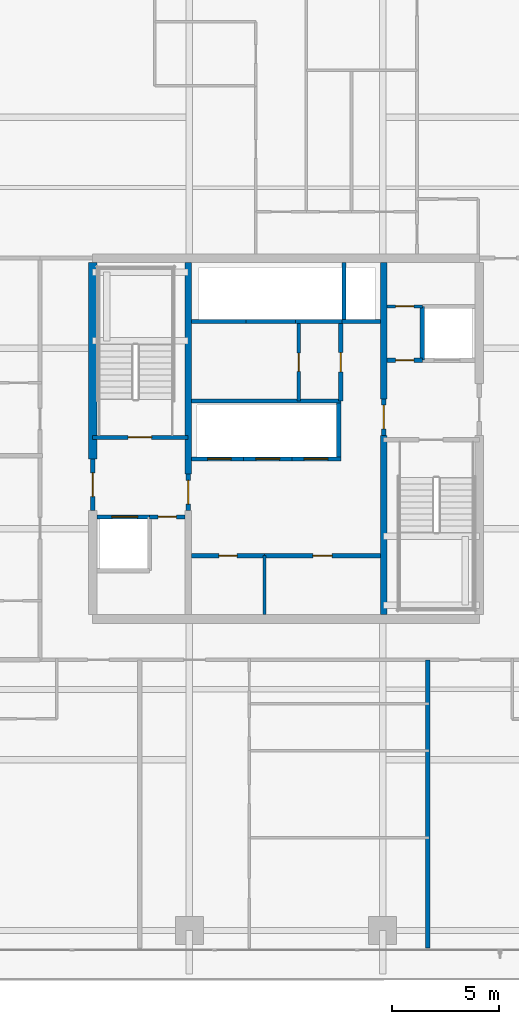
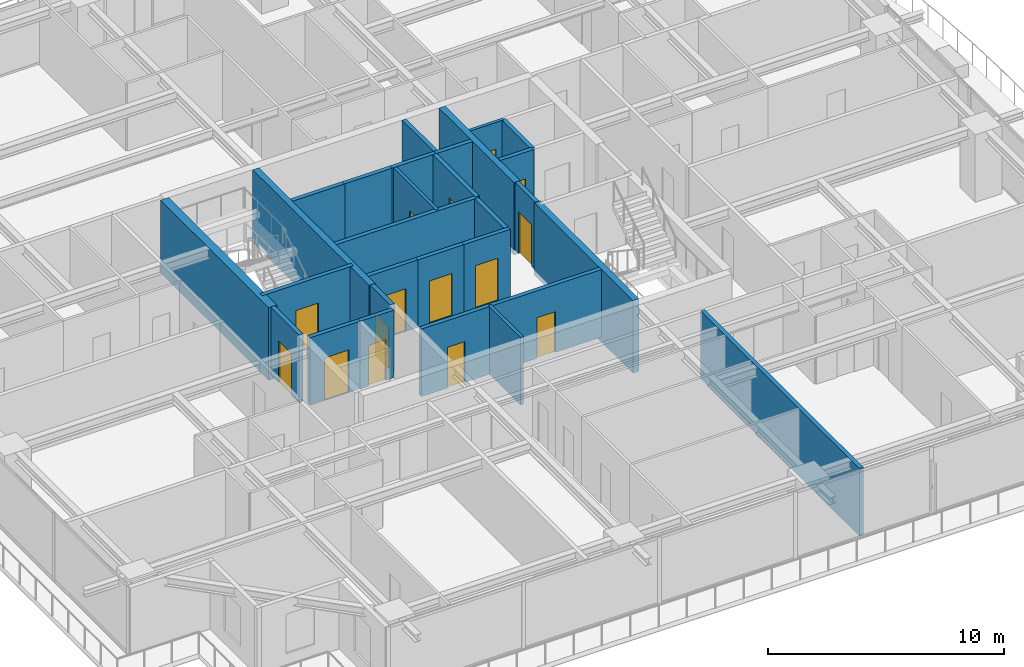
# One storey, part 25 of 34: 29 walls, 15 doors, 15 openings.
"""IFC4 building model written with IfcOpenShell, lengths in metres."""

import ifcopenshell
import ifcopenshell.guid

model = None  # the IFC model being written
_history = None  # IfcOwnerHistory: only IFC2X3 demands one
_inside = {}  # id of a spatial element -> (the spatial element, [elements in it])
_under = {}  # id of a project, library or spatial element -> (it, [spatial elements below it])
_declared = {}  # id of a project -> (the project, [libraries it declares])
_typed = {}  # id of a type object -> (the type object, [elements of that type])
_made_of = {}  # id of a material, layer set ... -> (it, [elements and type objects made of it])


def new_model(schema):
    """Start an empty IFC model of exactly this schema.

    Asked for "IFC4X3", IfcOpenShell would pick the latest addendum, in which some entities
    have other attributes; the version numbers below select the first issue.
    IFC2X3 requires an IfcOwnerHistory on every rooted entity: one is made here for all.
    """
    global model, _history
    if schema == "IFC4X3":
        model = ifcopenshell.file(schema_version=(4, 3, 0, 0))
    else:
        model = ifcopenshell.file(schema=schema)
    _inside.clear()
    _under.clear()
    _declared.clear()
    _typed.clear()
    _made_of.clear()
    _history = None
    if model.schema == "IFC2X3":
        org = make("IfcOrganization", Name="unknown")
        user = make(
            "IfcPersonAndOrganization",
            ThePerson=make("IfcPerson", FamilyName="unknown"),
            TheOrganization=org,
        )
        app = make(
            "IfcApplication",
            ApplicationDeveloper=org,
            Version="unknown",
            ApplicationFullName="unknown",
            ApplicationIdentifier="unknown",
        )
        _history = make(
            "IfcOwnerHistory",
            OwningUser=user,
            OwningApplication=app,
            ChangeAction="ADDED",
            CreationDate=0,
        )
    return model


def make(cls, **values):
    """One entity of the class cls with the attributes given. An attribute that is None is left unset."""
    return model.create_entity(
        cls, **{name: value for name, value in values.items() if value is not None}
    )


def rooted(cls, **values):
    """An entity with a GlobalId (a new one), such as an element, a storey or a relation."""
    return make(cls, GlobalId=ifcopenshell.guid.new(), OwnerHistory=_history, **values)


def si_unit(unit_type, name, prefix=None):
    """IfcSIUnit, for example si_unit("LENGTHUNIT", "METRE", prefix="MILLI")."""
    return make("IfcSIUnit", UnitType=unit_type, Prefix=prefix, Name=name)


def assignment(units):
    """IfcUnitAssignment: the units of a project."""
    return None if units is None else make("IfcUnitAssignment", Units=units)


def point(xyz):
    """IfcCartesianPoint."""
    return None if xyz is None else make("IfcCartesianPoint", Coordinates=xyz)


def direction(xyz):
    """IfcDirection."""
    return None if xyz is None else make("IfcDirection", DirectionRatios=xyz)


def frame(location, z_axis=None, x_axis=None):
    """IfcAxis2Placement3D, a coordinate frame: its origin and axes. An axis left out is left unset."""
    return make(
        "IfcAxis2Placement3D",
        Location=point(location),
        Axis=direction(z_axis),
        RefDirection=direction(x_axis),
    )


def frame_2d(location, x_axis=None):
    """IfcAxis2Placement2D, a coordinate frame in the plane: its origin and x axis."""
    return make(
        "IfcAxis2Placement2D", Location=point(location), RefDirection=direction(x_axis)
    )


def origin():
    """The frame at (0, 0, 0) with its axes left unset."""
    return frame((0.0, 0.0, 0.0))


def place(relative_to, where):
    """IfcLocalPlacement: puts the frame where relative to a parent placement (None: the world)."""
    return make(
        "IfcLocalPlacement", PlacementRelTo=relative_to, RelativePlacement=where
    )


def context(
    kind, dimensions, precision=None, world=None, true_north=None, identifier=None
):
    """IfcGeometricRepresentationContext, for example the 3D "Model" context."""
    return make(
        "IfcGeometricRepresentationContext",
        ContextIdentifier=identifier,
        ContextType=kind,
        CoordinateSpaceDimension=dimensions,
        Precision=precision,
        WorldCoordinateSystem=world,
        TrueNorth=true_north,
    )


def subcontext(parent, identifier, kind, view, scale=None):
    """IfcGeometricRepresentationSubContext, for example "Body" below "Model"."""
    return make(
        "IfcGeometricRepresentationSubContext",
        ContextIdentifier=identifier,
        ContextType=kind,
        ParentContext=parent,
        TargetScale=scale,
        TargetView=view,
    )


def project(units=None, contexts=None):
    """IfcProject with its units and contexts."""
    return rooted(
        "IfcProject",
        Name="project",
        RepresentationContexts=contexts,
        UnitsInContext=assignment(units),
    )


def spatial(cls, under=None, at=None, **own):
    """A site, building, storey or space (cls), placed at a placement, below another one or the project."""
    s = rooted(cls, ObjectPlacement=at, **own)
    if under is not None:
        _under.setdefault(under.id(), (under, []))[1].append(s)
    return s


def profile(cls, at=None, kind="AREA", **sizes):
    """A parametric profile (cls). Its sizes go by their IFC names, for example OverallWidth=200.0."""
    return make(cls, ProfileType=kind, Position=at, **sizes)


def rectangle(**sizes):
    """IfcRectangleProfileDef."""
    return profile("IfcRectangleProfileDef", **sizes)


def extrude(swept, where, along, depth):
    """IfcExtrudedAreaSolid: the profile swept, set in the frame where, extruded along a direction by depth."""
    return make(
        "IfcExtrudedAreaSolid",
        SweptArea=swept,
        Position=where,
        ExtrudedDirection=direction(along),
        Depth=depth,
    )


def shape(context_of_items, identifier, shape_type, items):
    """IfcShapeRepresentation: the items that make up one representation, for example the "Body"."""
    return make(
        "IfcShapeRepresentation",
        ContextOfItems=context_of_items,
        RepresentationIdentifier=identifier,
        RepresentationType=shape_type,
        Items=items,
    )


def source(mapping_origin, context_of_items, identifier, shape_type, items):
    """IfcRepresentationMap: a shape defined once, which mapped items show again and again."""
    return make(
        "IfcRepresentationMap",
        MappingOrigin=mapping_origin,
        MappedRepresentation=shape(context_of_items, identifier, shape_type, items),
    )


def transform(
    local_origin,
    x_axis=None,
    y_axis=None,
    z_axis=None,
    scale=None,
    scale2=None,
    scale3=None,
    uniform=True,
):
    """IfcCartesianTransformationOperator3D, or its non-uniform kind. x_axis, y_axis, z_axis: its Axis1, 2, 3."""
    if uniform:
        return make(
            "IfcCartesianTransformationOperator3D",
            Axis1=direction(x_axis),
            Axis2=direction(y_axis),
            LocalOrigin=point(local_origin),
            Scale=scale,
            Axis3=direction(z_axis),
        )
    return make(
        "IfcCartesianTransformationOperator3DnonUniform",
        Axis1=direction(x_axis),
        Axis2=direction(y_axis),
        LocalOrigin=point(local_origin),
        Scale=scale,
        Axis3=direction(z_axis),
        Scale2=scale2,
        Scale3=scale3,
    )


def mapped(mapping_source, mapping_target):
    """IfcMappedItem: shows the shape of a source again, moved by a transform."""
    return make(
        "IfcMappedItem", MappingSource=mapping_source, MappingTarget=mapping_target
    )


def material(Name=None, Category=None):
    """IfcMaterial."""
    return make("IfcMaterial", Name=Name, Category=Category)


def layer(
    of_material, thickness, ventilated=None, Name=None, Category=None, Priority=None
):
    """IfcMaterialLayer: one layer of a wall or slab, of a material (None: an air gap)."""
    return make(
        "IfcMaterialLayer",
        Material=of_material,
        LayerThickness=thickness,
        IsVentilated=ventilated,
        Name=Name,
        Category=Category,
        Priority=Priority,
    )


def layer_set(layers, Name=None):
    """IfcMaterialLayerSet."""
    return make("IfcMaterialLayerSet", MaterialLayers=layers, LayerSetName=Name)


def made_of(thing, what):
    """Note that an element or type object is made of a material, layer set ...; save() writes the relation."""
    if what is not None:
        _made_of.setdefault(what.id(), (what, []))[1].append(thing)
    return thing


def type_object(cls, material=None, **own):
    """A type object (cls), such as IfcWallType, which elements share."""
    return made_of(rooted(cls, **own), material)


def element(
    cls,
    number,
    at=None,
    inside=None,
    cuts=None,
    type_object=None,
    material=None,
    context=None,
    identifier="Body",
    shape_type=None,
    held_by="IfcProductDefinitionShape",
    body=None,
    shapes=None,
    **own,
):
    """One element of the class cls, such as IfcWall. Its Tag is "e" and its number.

    at: its placement. inside: the storey or other place that contains it. cuts: it is an
    opening in that element (IfcRelVoidsElement). A single representation is given by context,
    identifier, shape_type and body (its items); several are given by shapes. held_by: the class
    of the entity that holds the representations. save() writes the other relations.
    """
    e = rooted(cls, Tag="e%d" % number, ObjectPlacement=at, **own)
    if body is not None:
        shapes = [shape(context, identifier, shape_type, body)]
    if shapes is not None:
        e.Representation = make(held_by, Representations=shapes)
    if inside is not None:
        _inside.setdefault(inside.id(), (inside, []))[1].append(e)
    if cuts is not None:
        rooted(
            "IfcRelVoidsElement", RelatingBuildingElement=cuts, RelatedOpeningElement=e
        )
    if type_object is not None:
        _typed.setdefault(type_object.id(), (type_object, []))[1].append(e)
    return made_of(e, material)


def fill(opening, filler):
    """IfcRelFillsElement: the door or window that sits in an opening."""
    return rooted(
        "IfcRelFillsElement",
        RelatingOpeningElement=opening,
        RelatedBuildingElement=filler,
    )


def aggregate(whole, parts):
    """IfcRelAggregates: a whole, such as a stair, and the parts it consists of."""
    return rooted("IfcRelAggregates", RelatingObject=whole, RelatedObjects=parts)


def save(model, path):
    """Write the relations noted so far, then the file.

    IfcRelAggregates (storeys below a building ...), IfcRelContainedInSpatialStructure (elements
    in a storey), IfcRelDefinesByType, IfcRelAssociatesMaterial and IfcRelDeclares: one each for
    every whole, place, type object, material and project.
    """
    for whole, parts in _under.values():
        aggregate(whole, parts)
    for where, things in _inside.values():
        rooted(
            "IfcRelContainedInSpatialStructure",
            RelatedElements=things,
            RelatingStructure=where,
        )
    for kind, things in _typed.values():
        rooted("IfcRelDefinesByType", RelatedObjects=things, RelatingType=kind)
    for what, things in _made_of.values():
        rooted("IfcRelAssociatesMaterial", RelatedObjects=things, RelatingMaterial=what)
    for by, libraries in _declared.values():
        rooted("IfcRelDeclares", RelatingContext=by, RelatedDefinitions=libraries)
    model.write(path)


model = new_model("IFC4")

# Units and contexts
model_context = context("Model", 3, precision=1e-05, world=origin(), true_north=direction((0.0, 1.0)))
body_context = subcontext(model_context, "Body", "Model", "MODEL_VIEW")
ifc_project = project(units=[si_unit("LENGTHUNIT", "METRE"), si_unit("AREAUNIT", "SQUARE_METRE"), si_unit("VOLUMEUNIT", "CUBIC_METRE"), si_unit("PLANEANGLEUNIT", "RADIAN"), si_unit("MASSUNIT", "GRAM", prefix="KILO")], contexts=[model_context])

# Site, building, storey
site_placement = place(None, origin())
site = spatial("IfcSite", under=ifc_project, at=site_placement, CompositionType="ELEMENT")
building_placement = place(site_placement, origin())
building = spatial("IfcBuilding", under=site, at=building_placement, Name="Serunith Strait Residences", CompositionType="ELEMENT")
storey_placement = place(building_placement, frame((0.0, 0.0, 180.14990234375)))
storey = spatial("IfcBuildingStorey", under=building, at=storey_placement, Name="L45", CompositionType="ELEMENT", Elevation=180.14990234375)

# Wall, opening, door
ifc_material_1 = material(Name="Fire-rated masonry service closet wall", Category="masonry")
ifc_layer_1 = layer(ifc_material_1, 0.14990234375, Name="Fire-rated masonry service closet wall")
ifc_layer_set_1 = layer_set([ifc_layer_1], Name="Fire-rated masonry service closet wall")
wall_type_1 = type_object("IfcWallType", Name="IW-BOH-150", PredefinedType="PARTITIONING", material=ifc_layer_set_1)
wall_1_placement = place(storey_placement, frame((37.10009765625, 31.35009765625, 0.0), z_axis=(0.0, 0.0, 1.0), x_axis=(1.0, 0.0, 0.0)))
wall_1 = element("IfcWall", 1, at=wall_1_placement, inside=storey, type_object=wall_type_1, Name="L45 Partition Wall 012", PredefinedType="PARTITIONING", context=body_context, shape_type="SweptSolid", body=[
    extrude(rectangle(XDim=1.64794921875, YDim=0.14990234375, at=frame_2d((0.823974609375, 0.0))), origin(), (0.0, 0.0, 1.0), 3.489990234375),
])
opening_1_placement = place(wall_1_placement, frame((0.39892578125, 0.0, 0.0)))
opening_1 = element("IfcOpeningElement", 2, at=opening_1_placement, cuts=wall_1, Name="Opening FD-850", PredefinedType="OPENING", context=body_context, shape_type="SweptSolid", body=[
    extrude(rectangle(XDim=0.85009765625, YDim=2.10009765625, at=frame_2d((0.425048828125, 1.050048828125))), frame((0.0, 0.0849609375, 0.0), z_axis=(0.0, -1.0, 0.0), x_axis=(1.0, 0.0, 0.0)), (0.0, 0.0, 1.0), 0.169921875),
])
ifc_material_2 = material(Name="Powder-coated steel service closet door", Category="steel")
door_type_1 = type_object("IfcDoorType", Name="FD-BOH-850", OperationType="NOTDEFINED", PredefinedType="DOOR", material=ifc_material_2)
shared_shape_1 = source(origin(), body_context, "Body", "SweptSolid", [
    extrude(rectangle(XDim=0.85009765625, YDim=2.10009765625, at=frame_2d((0.425048828125, 1.050048828125))), frame((0.0, 0.02490234375, 0.0), z_axis=(0.0, -1.0, 0.0), x_axis=(1.0, 0.0, 0.0)), (0.0, 0.0, 1.0), 0.050048828125),
])
door_1_placement = place(opening_1_placement, origin())
door_1 = element("IfcDoor", 3, at=door_1_placement, inside=storey, type_object=door_type_1, Name="L45 Spare Parts Store Door", OperationType="SINGLE_SWING_RIGHT", OverallHeight=2.10009765625, OverallWidth=0.85009765625, PredefinedType="DOOR", context=body_context, shape_type="MappedRepresentation", body=[
    mapped(shared_shape_1, transform((0.0, 0.0, 0.0), scale=1.0)),
])
fill(opening_1, door_1)

wall_2_placement = place(storey_placement, frame((33.0, 26.949951171875, 0.0), z_axis=(0.0, 0.0, 1.0), x_axis=(0.0, 1.0, 0.0)))
wall_2 = element("IfcWall", 4, at=wall_2_placement, inside=storey, type_object=wall_type_1, Name="L45 Partition Wall 014", PredefinedType="PARTITIONING", context=body_context, shape_type="SweptSolid", body=[
    extrude(rectangle(XDim=3.60009765625, YDim=0.14990234375, at=frame_2d((1.800048828125, 0.0))), origin(), (0.0, 0.0, 1.0), 3.489990234375),
])
opening_2_placement = place(wall_2_placement, frame((1.375, 0.0, 0.0)))
opening_2 = element("IfcOpeningElement", 5, at=opening_2_placement, cuts=wall_2, Name="Opening FD-850", PredefinedType="OPENING", context=body_context, shape_type="SweptSolid", body=[
    extrude(rectangle(XDim=0.85009765625, YDim=2.10009765625, at=frame_2d((0.425048828125, 1.050048828125))), frame((0.0, 0.0849609375, 0.0), z_axis=(0.0, -1.0, 0.0), x_axis=(1.0, 0.0, 0.0)), (0.0, 0.0, 1.0), 0.169921875),
])
door_2_placement = place(opening_2_placement, origin())
door_2 = element("IfcDoor", 6, at=door_2_placement, inside=storey, type_object=door_type_1, Name="L45 LV Switchgear Door", OperationType="SINGLE_SWING_RIGHT", OverallHeight=2.10009765625, OverallWidth=0.85009765625, PredefinedType="DOOR", context=body_context, shape_type="MappedRepresentation", body=[
    mapped(shared_shape_1, transform((0.0, 0.0, 0.0), scale=1.0)),
])
fill(opening_2, door_2)

# Walls
wall_3_placement = place(storey_placement, frame((31.39990234375, 17.02001953125, 0.0), z_axis=(0.0, 0.0, 1.0), x_axis=(0.0, 1.0, 0.0)))
element("IfcWall", 7, at=wall_3_placement, inside=storey, type_object=wall_type_1, Name="L45 Partition Wall 017", PredefinedType="PARTITIONING", context=body_context, shape_type="SweptSolid", body=[
    extrude(rectangle(XDim=2.72998046875, YDim=0.14990234375, at=frame_2d((1.364990234375, 0.0))), origin(), (0.0, 0.0, 1.0), 3.489990234375),
])
ifc_material_3 = material(Name="Twin-stud acoustic gypsum board partition")
ifc_layer_2 = layer(ifc_material_3, 0.199951171875, Name="Twin-stud acoustic gypsum board partition")
ifc_layer_set_2 = layer_set([ifc_layer_2], Name="Twin-stud acoustic gypsum board partition")
wall_type_2 = type_object("IfcWallType", Name="IW-PARTY-200", PredefinedType="PARTITIONING", material=ifc_layer_set_2)
wall_4_placement = place(storey_placement, frame((39.0, 1.48193359375, 0.0), z_axis=(0.0, 0.0, 1.0), x_axis=(0.0, 1.0, 0.0)))
element("IfcWall", 8, at=wall_4_placement, inside=storey, type_object=wall_type_2, Name="L45 Partition Wall 019", PredefinedType="PARTITIONING", context=body_context, shape_type="SweptSolid", body=[
    extrude(rectangle(XDim=13.41796875, YDim=0.199951171875, at=frame_2d((6.708984375, 0.0))), origin(), (0.0, 0.0, 1.0), 3.489990234375),
])

# Wall, opening, door
ifc_material_4 = material(Name="Autoclaved aerated concrete blockwork", Category="masonry")
ifc_layer_3 = layer(ifc_material_4, 0.199951171875, Name="Autoclaved aerated concrete blockwork")
ifc_layer_set_3 = layer_set([ifc_layer_3], Name="Autoclaved aerated concrete blockwork")
wall_type_3 = type_object("IfcWallType", Name="IW-SHAFT-200", PredefinedType="STANDARD", material=ifc_layer_set_3)
wall_5_placement = place(storey_placement, frame((23.39990234375, 25.25, 0.0), z_axis=(0.0, 0.0, 1.0), x_axis=(1.0, 0.0, 0.0)))
wall_5 = element("IfcWall", 9, at=wall_5_placement, inside=storey, type_object=wall_type_3, Name="L45 ST-1 South Shaft Wall", PredefinedType="STANDARD", context=body_context, shape_type="SweptSolid", body=[
    extrude(rectangle(XDim=4.4501953125, YDim=0.199951171875, at=frame_2d((2.22509765625, 0.0))), origin(), (0.0, 0.0, 1.0), 3.489990234375),
])
opening_3_placement = place(wall_5_placement, frame((1.64990234375, 0.0, 0.0)))
opening_3 = element("IfcOpeningElement", 10, at=opening_3_placement, cuts=wall_5, Name="Opening FD-1100", PredefinedType="OPENING", context=body_context, shape_type="SweptSolid", body=[
    extrude(rectangle(XDim=1.10009765625, YDim=2.14990234375, at=frame_2d((0.550048828125, 1.074951171875))), frame((0.0, 0.10986328125, 0.0), z_axis=(0.0, -1.0, 0.0), x_axis=(1.0, 0.0, 0.0)), (0.0, 0.0, 1.0), 0.219970703125),
])
ifc_material_5 = material(Name="Galvanised steel fire door leaf", Category="steel")
door_type_2 = type_object("IfcDoorType", Name="FD-STAIR-1100", OperationType="NOTDEFINED", PredefinedType="DOOR", material=ifc_material_5)
shared_shape_2 = source(origin(), body_context, "Body", "SweptSolid", [
    extrude(rectangle(XDim=1.10009765625, YDim=2.14990234375, at=frame_2d((0.550048828125, 1.074951171875))), frame((0.0, 0.02490234375, 0.0), z_axis=(0.0, -1.0, 0.0), x_axis=(1.0, 0.0, 0.0)), (0.0, 0.0, 1.0), 0.050048828125),
])
door_3_placement = place(opening_3_placement, origin())
door_3 = element("IfcDoor", 11, at=door_3_placement, inside=storey, type_object=door_type_2, Name="L45 ST-1 Escape Stair Door", OperationType="SINGLE_SWING_LEFT", OverallHeight=2.14990234375, OverallWidth=1.10009765625, PredefinedType="DOOR", context=body_context, shape_type="MappedRepresentation", body=[
    mapped(shared_shape_2, transform((0.0, 0.0, 0.0), scale=1.0)),
])
fill(opening_3, door_3)

wall_6_placement = place(storey_placement, frame((23.60009765625, 21.550048828125, 0.0), z_axis=(0.0, 0.0, 1.0), x_axis=(1.0, 0.0, 0.0)))
wall_6 = element("IfcWall", 12, at=wall_6_placement, inside=storey, type_object=wall_type_3, Name="L45 FL-1 North Shaft Wall", PredefinedType="STANDARD", context=body_context, shape_type="SweptSolid", body=[
    extrude(rectangle(XDim=2.449951171875, YDim=0.199951171875, at=frame_2d((1.22509765625, 0.0))), origin(), (0.0, 0.0, 1.0), 3.489990234375),
])
opening_4_placement = place(wall_6_placement, frame((0.699951171875, 0.0, 0.0)))
opening_4 = element("IfcOpeningElement", 13, at=opening_4_placement, cuts=wall_6, Name="Opening LD-FF1200", PredefinedType="OPENING", context=body_context, shape_type="SweptSolid", body=[
    extrude(rectangle(XDim=1.199951171875, YDim=2.199951171875, at=frame_2d((0.60009765625, 1.10009765625))), frame((0.0, 0.10986328125, 0.0), z_axis=(0.0, -1.0, 0.0), x_axis=(1.0, 0.0, 0.0)), (0.0, 0.0, 1.0), 0.219970703125),
])
ifc_material_6 = material(Name="Brushed stainless steel landing door", Category="steel")
door_type_3 = type_object("IfcDoorType", Name="LD-FF-1200", OperationType="DOUBLE_DOOR_SLIDING", PredefinedType="DOOR", material=ifc_material_6)
shared_shape_3 = source(origin(), body_context, "Body", "SweptSolid", [
    extrude(rectangle(XDim=1.199951171875, YDim=2.199951171875, at=frame_2d((0.60009765625, 1.10009765625))), frame((0.0, 0.02490234375, 0.0), z_axis=(0.0, -1.0, 0.0), x_axis=(1.0, 0.0, 0.0)), (0.0, 0.0, 1.0), 0.050048828125),
])
door_4_placement = place(opening_4_placement, origin())
door_4 = element("IfcDoor", 14, at=door_4_placement, inside=storey, type_object=door_type_3, Name="L45 FL-1 Landing Door", OperationType="DOUBLE_DOOR_SLIDING", OverallHeight=2.199951171875, OverallWidth=1.199951171875, PredefinedType="DOOR", context=body_context, shape_type="MappedRepresentation", body=[
    mapped(shared_shape_3, transform((0.0, 0.0, 0.0), scale=1.0)),
])
fill(opening_4, door_4)

wall_7_placement = place(storey_placement, frame((28.0, 24.25, 0.0), z_axis=(0.0, 0.0, 1.0), x_axis=(1.0, 0.0, 0.0)))
wall_7 = element("IfcWall", 15, at=wall_7_placement, inside=storey, type_object=wall_type_3, Name="L45 PL-4 South Shaft Wall", PredefinedType="STANDARD", context=body_context, shape_type="SweptSolid", body=[
    extrude(rectangle(XDim=2.425048828125, YDim=0.199951171875, at=frame_2d((1.21240234375, 0.0))), origin(), (0.0, 0.0, 1.0), 3.489990234375),
])
opening_5_placement = place(wall_7_placement, frame((0.75, 0.0, 0.0)))
opening_5 = element("IfcOpeningElement", 16, at=opening_5_placement, cuts=wall_7, Name="Opening LD-1100", PredefinedType="OPENING", context=body_context, shape_type="SweptSolid", body=[
    extrude(rectangle(XDim=1.10009765625, YDim=2.199951171875, at=frame_2d((0.550048828125, 1.10009765625))), frame((0.0, 0.10986328125, 0.0), z_axis=(0.0, -1.0, 0.0), x_axis=(1.0, 0.0, 0.0)), (0.0, 0.0, 1.0), 0.219970703125),
])
ifc_material_7 = material(Name="Pale-champagne stainless landing door")
door_type_4 = type_object("IfcDoorType", Name="LD-LIFT-1100", OperationType="DOUBLE_DOOR_SLIDING", PredefinedType="DOOR", material=ifc_material_7)
shared_shape_4 = source(origin(), body_context, "Body", "SweptSolid", [
    extrude(rectangle(XDim=1.10009765625, YDim=2.199951171875, at=frame_2d((0.550048828125, 1.10009765625))), frame((0.0, 0.02490234375, 0.0), z_axis=(0.0, -1.0, 0.0), x_axis=(1.0, 0.0, 0.0)), (0.0, 0.0, 1.0), 0.050048828125),
])
door_5_placement = place(opening_5_placement, origin())
door_5 = element("IfcDoor", 17, at=door_5_placement, inside=storey, type_object=door_type_4, Name="L45 PL-4 Landing Door", OperationType="DOUBLE_DOOR_SLIDING", OverallHeight=2.199951171875, OverallWidth=1.10009765625, PredefinedType="DOOR", context=body_context, shape_type="MappedRepresentation", body=[
    mapped(shared_shape_4, transform((0.0, 0.0, 0.0), scale=1.0)),
])
fill(opening_5, door_5)

wall_8_placement = place(storey_placement, frame((30.425048828125, 24.25, 0.0), z_axis=(0.0, 0.0, 1.0), x_axis=(1.0, 0.0, 0.0)))
wall_8 = element("IfcWall", 18, at=wall_8_placement, inside=storey, type_object=wall_type_3, Name="L45 PL-5 South Shaft Wall", PredefinedType="STANDARD", context=body_context, shape_type="SweptSolid", body=[
    extrude(rectangle(XDim=2.25, YDim=0.199951171875, at=frame_2d((1.125, 0.0))), origin(), (0.0, 0.0, 1.0), 3.489990234375),
])
opening_6_placement = place(wall_8_placement, frame((0.574951171875, 0.0, 0.0)))
opening_6 = element("IfcOpeningElement", 19, at=opening_6_placement, cuts=wall_8, Name="Opening LD-1100", PredefinedType="OPENING", context=body_context, shape_type="SweptSolid", body=[
    extrude(rectangle(XDim=1.10009765625, YDim=2.199951171875, at=frame_2d((0.550048828125, 1.10009765625))), frame((0.0, 0.10986328125, 0.0), z_axis=(0.0, -1.0, 0.0), x_axis=(1.0, 0.0, 0.0)), (0.0, 0.0, 1.0), 0.219970703125),
])
door_6_placement = place(opening_6_placement, origin())
door_6 = element("IfcDoor", 20, at=door_6_placement, inside=storey, type_object=door_type_4, Name="L45 PL-5 Landing Door", OperationType="DOUBLE_DOOR_SLIDING", OverallHeight=2.199951171875, OverallWidth=1.10009765625, PredefinedType="DOOR", context=body_context, shape_type="MappedRepresentation", body=[
    mapped(shared_shape_4, transform((0.0, 0.0, 0.0), scale=1.0)),
])
fill(opening_6, door_6)

wall_9_placement = place(storey_placement, frame((32.675048828125, 24.25, 0.0), z_axis=(0.0, 0.0, 1.0), x_axis=(1.0, 0.0, 0.0)))
wall_9 = element("IfcWall", 21, at=wall_9_placement, inside=storey, type_object=wall_type_3, Name="L45 PL-6 South Shaft Wall", PredefinedType="STANDARD", context=body_context, shape_type="SweptSolid", body=[
    extrude(rectangle(XDim=2.27490234375, YDim=0.199951171875, at=frame_2d((1.137451171875, 0.0))), origin(), (0.0, 0.0, 1.0), 3.489990234375),
])
opening_7_placement = place(wall_9_placement, frame((0.574951171875, 0.0, 0.0)))
opening_7 = element("IfcOpeningElement", 22, at=opening_7_placement, cuts=wall_9, Name="Opening LD-1100", PredefinedType="OPENING", context=body_context, shape_type="SweptSolid", body=[
    extrude(rectangle(XDim=1.10009765625, YDim=2.199951171875, at=frame_2d((0.550048828125, 1.10009765625))), frame((0.0, 0.10986328125, 0.0), z_axis=(0.0, -1.0, 0.0), x_axis=(1.0, 0.0, 0.0)), (0.0, 0.0, 1.0), 0.219970703125),
])
door_7_placement = place(opening_7_placement, origin())
door_7 = element("IfcDoor", 23, at=door_7_placement, inside=storey, type_object=door_type_4, Name="L45 PL-6 Landing Door", OperationType="DOUBLE_DOOR_SLIDING", OverallHeight=2.199951171875, OverallWidth=1.10009765625, PredefinedType="DOOR", context=body_context, shape_type="MappedRepresentation", body=[
    mapped(shared_shape_4, transform((0.0, 0.0, 0.0), scale=1.0)),
])
fill(opening_7, door_7)

# Walls
wall_10_placement = place(storey_placement, frame((34.85009765625, 24.35009765625, 0.0), z_axis=(0.0, 0.0, 1.0), x_axis=(0.0, 1.0, 0.0)))
element("IfcWall", 24, at=wall_10_placement, inside=storey, type_object=wall_type_3, Name="L45 PL-6 East Shaft Wall", PredefinedType="STANDARD", context=body_context, shape_type="SweptSolid", body=[
    extrude(rectangle(XDim=2.5, YDim=0.199951171875, at=frame_2d((1.25, 0.0))), origin(), (0.0, 0.0, 1.0), 3.489990234375),
])
wall_11_placement = place(storey_placement, frame((28.0, 30.64990234375, 0.0), z_axis=(0.0, 0.0, 1.0), x_axis=(1.0, 0.0, 0.0)))
element("IfcWall", 25, at=wall_11_placement, inside=storey, type_object=wall_type_3, Name="L45 PL-7 South Shaft Wall", PredefinedType="STANDARD", context=body_context, shape_type="SweptSolid", body=[
    extrude(rectangle(XDim=2.550048828125, YDim=0.199951171875, at=frame_2d((1.27490234375, 0.0))), origin(), (0.0, 0.0, 1.0), 3.489990234375),
])
wall_12_placement = place(storey_placement, frame((30.550048828125, 30.64990234375, 0.0), z_axis=(0.0, 0.0, 1.0), x_axis=(1.0, 0.0, 0.0)))
element("IfcWall", 26, at=wall_12_placement, inside=storey, type_object=wall_type_3, Name="L45 PL-8 South Shaft Wall", PredefinedType="STANDARD", context=body_context, shape_type="SweptSolid", body=[
    extrude(rectangle(XDim=2.300048828125, YDim=0.199951171875, at=frame_2d((1.14990234375, 0.0))), origin(), (0.0, 0.0, 1.0), 3.489990234375),
])
wall_13_placement = place(storey_placement, frame((32.85009765625, 30.64990234375, 0.0), z_axis=(0.0, 0.0, 1.0), x_axis=(1.0, 0.0, 0.0)))
element("IfcWall", 27, at=wall_13_placement, inside=storey, type_object=wall_type_3, Name="L45 PL-9 South Shaft Wall", PredefinedType="STANDARD", context=body_context, shape_type="SweptSolid", body=[
    extrude(rectangle(XDim=2.14990234375, YDim=0.199951171875, at=frame_2d((1.074951171875, 0.0))), origin(), (0.0, 0.0, 1.0), 3.489990234375),
])
wall_14_placement = place(storey_placement, frame((35.0, 30.64990234375, 0.0), z_axis=(0.0, 0.0, 1.0), x_axis=(1.0, 0.0, 0.0)))
element("IfcWall", 28, at=wall_14_placement, inside=storey, type_object=wall_type_3, Name="L45 SL-1 South Shaft Wall", PredefinedType="STANDARD", context=body_context, shape_type="SweptSolid", body=[
    extrude(rectangle(XDim=1.800048828125, YDim=0.199951171875, at=frame_2d((0.89990234375, 0.0))), origin(), (0.0, 0.0, 1.0), 3.489990234375),
])
wall_15_placement = place(storey_placement, frame((35.10009765625, 30.75, 0.0), z_axis=(0.0, 0.0, 1.0), x_axis=(0.0, 1.0, 0.0)))
element("IfcWall", 29, at=wall_15_placement, inside=storey, type_object=wall_type_3, Name="L45 SL-1 West Shaft Wall", PredefinedType="STANDARD", context=body_context, shape_type="SweptSolid", body=[
    extrude(rectangle(XDim=2.64990234375, YDim=0.199951171875, at=frame_2d((1.324951171875, 0.0))), origin(), (0.0, 0.0, 1.0), 3.489990234375),
])

# Wall, opening, door
wall_16_placement = place(storey_placement, frame((26.052001953125, 21.550048828125, 0.0), z_axis=(0.0, 0.0, 1.0), x_axis=(1.0, 0.0, 0.0)))
wall_16 = element("IfcWall", 30, at=wall_16_placement, inside=storey, type_object=wall_type_3, Name="L45 Partition Wall 003", PredefinedType="STANDARD", context=body_context, shape_type="SweptSolid", body=[
    extrude(rectangle(XDim=1.64794921875, YDim=0.199951171875, at=frame_2d((0.823974609375, 0.0))), origin(), (0.0, 0.0, 1.0), 3.489990234375),
])
opening_8_placement = place(wall_16_placement, frame((0.39892578125, 0.0, 0.0)))
opening_8 = element("IfcOpeningElement", 31, at=opening_8_placement, cuts=wall_16, Name="Opening FD-850", PredefinedType="OPENING", context=body_context, shape_type="SweptSolid", body=[
    extrude(rectangle(XDim=0.85009765625, YDim=2.10009765625, at=frame_2d((0.425048828125, 1.050048828125))), frame((0.0, 0.10986328125, 0.0), z_axis=(0.0, -1.0, 0.0), x_axis=(1.0, 0.0, 0.0)), (0.0, 0.0, 1.0), 0.219970703125),
])
door_8_placement = place(opening_8_placement, origin())
door_8 = element("IfcDoor", 32, at=door_8_placement, inside=storey, type_object=door_type_1, Name="L45 South-West Core Service Door", OperationType="SINGLE_SWING_RIGHT", OverallHeight=2.10009765625, OverallWidth=0.85009765625, PredefinedType="DOOR", context=body_context, shape_type="MappedRepresentation", body=[
    mapped(shared_shape_1, transform((0.0, 0.0, 0.0), scale=1.0)),
])
fill(opening_8, door_8)

# Wall
wall_17_placement = place(storey_placement, frame((38.75, 28.85009765625, 0.0), z_axis=(0.0, 0.0, 1.0), x_axis=(0.0, 1.0, 0.0)))
element("IfcWall", 33, at=wall_17_placement, inside=storey, type_object=wall_type_3, Name="L45 Partition Wall 004", PredefinedType="STANDARD", context=body_context, shape_type="SweptSolid", body=[
    extrude(rectangle(XDim=2.5, YDim=0.199951171875, at=frame_2d((1.25, 0.0))), origin(), (0.0, 0.0, 1.0), 3.489990234375),
])

# Wall, opening, door
wall_18_placement = place(storey_placement, frame((37.10009765625, 28.85009765625, 0.0), z_axis=(0.0, 0.0, 1.0), x_axis=(1.0, 0.0, 0.0)))
wall_18 = element("IfcWall", 34, at=wall_18_placement, inside=storey, type_object=wall_type_3, Name="L45 Partition Wall 006", PredefinedType="STANDARD", context=body_context, shape_type="SweptSolid", body=[
    extrude(rectangle(XDim=1.64794921875, YDim=0.199951171875, at=frame_2d((0.823974609375, 0.0))), origin(), (0.0, 0.0, 1.0), 3.489990234375),
])
opening_9_placement = place(wall_18_placement, frame((0.39892578125, 0.0, 0.0)))
opening_9 = element("IfcOpeningElement", 35, at=opening_9_placement, cuts=wall_18, Name="Opening FD-850", PredefinedType="OPENING", context=body_context, shape_type="SweptSolid", body=[
    extrude(rectangle(XDim=0.85009765625, YDim=2.10009765625, at=frame_2d((0.425048828125, 1.050048828125))), frame((0.0, 0.10986328125, 0.0), z_axis=(0.0, -1.0, 0.0), x_axis=(1.0, 0.0, 0.0)), (0.0, 0.0, 1.0), 0.219970703125),
])
door_9_placement = place(opening_9_placement, origin())
door_9 = element("IfcDoor", 36, at=door_9_placement, inside=storey, type_object=door_type_1, Name="L45 North-East Core Service Door", OperationType="SINGLE_SWING_LEFT", OverallHeight=2.10009765625, OverallWidth=0.85009765625, PredefinedType="DOOR", context=body_context, shape_type="MappedRepresentation", body=[
    mapped(shared_shape_1, transform((0.0, 0.0, 0.0), scale=1.0)),
])
fill(opening_9, door_9)

wall_19_placement = place(storey_placement, frame((23.39990234375, 21.85205078125, 0.0), z_axis=(0.0, 0.0, 1.0), x_axis=(0.0, 1.0, 0.0)))
wall_19 = element("IfcWall", 37, at=wall_19_placement, inside=storey, type_object=wall_type_3, Name="L45 Partition Wall 007", PredefinedType="STANDARD", context=body_context, shape_type="SweptSolid", body=[
    extrude(rectangle(XDim=2.39599609375, YDim=0.199951171875, at=frame_2d((1.197998046875, 0.0))), origin(), (0.0, 0.0, 1.0), 3.489990234375),
])
opening_10_placement = place(wall_19_placement, frame((0.64794921875, 0.0, 0.0)))
opening_10 = element("IfcOpeningElement", 38, at=opening_10_placement, cuts=wall_19, Name="Opening FD-FFL", PredefinedType="OPENING", context=body_context, shape_type="SweptSolid", body=[
    extrude(rectangle(XDim=1.10009765625, YDim=2.14990234375, at=frame_2d((0.550048828125, 1.074951171875))), frame((0.0, 0.10986328125, 0.0), z_axis=(0.0, -1.0, 0.0), x_axis=(1.0, 0.0, 0.0)), (0.0, 0.0, 1.0), 0.219970703125),
])
ifc_material_8 = material(Name="Glazed steel smoke-lobby fire door", Category="steel")
door_type_5 = type_object("IfcDoorType", Name="FD-FFL-1100", OperationType="NOTDEFINED", PredefinedType="DOOR", material=ifc_material_8)
door_10_placement = place(opening_10_placement, origin())
door_10 = element("IfcDoor", 39, at=door_10_placement, inside=storey, type_object=door_type_5, Name="L45 FFL-1 Corridor Fire Door", OperationType="SINGLE_SWING_RIGHT", OverallHeight=2.14990234375, OverallWidth=1.10009765625, PredefinedType="DOOR", context=body_context, shape_type="MappedRepresentation", body=[
    mapped(shared_shape_2, transform((0.0, 0.0, 0.0), scale=1.0)),
])
fill(opening_10, door_10)

wall_20_placement = place(storey_placement, frame((27.85009765625, 21.85205078125, 0.0), z_axis=(0.0, 0.0, 1.0), x_axis=(0.0, 1.0, 0.0)))
wall_20 = element("IfcWall", 40, at=wall_20_placement, inside=storey, type_object=wall_type_3, Name="L45 Partition Wall 009", PredefinedType="STANDARD", context=body_context, shape_type="SweptSolid", body=[
    extrude(rectangle(XDim=1.696044921875, YDim=0.199951171875, at=frame_2d((0.84814453125, 0.0))), origin(), (0.0, 0.0, 1.0), 3.489990234375),
])
opening_11_placement = place(wall_20_placement, frame((0.298095703125, 0.0, 0.0)))
opening_11 = element("IfcOpeningElement", 41, at=opening_11_placement, cuts=wall_20, Name="Opening FD-FFL", PredefinedType="OPENING", context=body_context, shape_type="SweptSolid", body=[
    extrude(rectangle(XDim=1.10009765625, YDim=2.14990234375, at=frame_2d((0.550048828125, 1.074951171875))), frame((0.0, 0.10986328125, 0.0), z_axis=(0.0, -1.0, 0.0), x_axis=(1.0, 0.0, 0.0)), (0.0, 0.0, 1.0), 0.219970703125),
])
door_11_placement = place(opening_11_placement, origin())
door_11 = element("IfcDoor", 42, at=door_11_placement, inside=storey, type_object=door_type_5, Name="L45 FFL-1 Lift Lobby Door", OperationType="SINGLE_SWING_RIGHT", OverallHeight=2.14990234375, OverallWidth=1.10009765625, PredefinedType="DOOR", context=body_context, shape_type="MappedRepresentation", body=[
    mapped(shared_shape_2, transform((0.0, 0.0, 0.0), scale=1.0)),
])
fill(opening_11, door_11)

wall_21_placement = place(storey_placement, frame((36.949951171875, 25.35205078125, 0.0), z_axis=(0.0, 0.0, 1.0), x_axis=(0.0, 1.0, 0.0)))
wall_21 = element("IfcWall", 43, at=wall_21_placement, inside=storey, type_object=wall_type_3, Name="L45 Partition Wall 010", PredefinedType="STANDARD", context=body_context, shape_type="SweptSolid", body=[
    extrude(rectangle(XDim=1.696044921875, YDim=0.199951171875, at=frame_2d((0.84814453125, 0.0))), origin(), (0.0, 0.0, 1.0), 3.489990234375),
])
opening_12_placement = place(wall_21_placement, frame((0.298095703125, 0.0, 0.0)))
opening_12 = element("IfcOpeningElement", 44, at=opening_12_placement, cuts=wall_21, Name="Opening FD-FFL", PredefinedType="OPENING", context=body_context, shape_type="SweptSolid", body=[
    extrude(rectangle(XDim=1.10009765625, YDim=2.14990234375, at=frame_2d((0.550048828125, 1.074951171875))), frame((0.0, 0.10986328125, 0.0), z_axis=(0.0, -1.0, 0.0), x_axis=(1.0, 0.0, 0.0)), (0.0, 0.0, 1.0), 0.219970703125),
])
door_12_placement = place(opening_12_placement, origin())
door_12 = element("IfcDoor", 45, at=door_12_placement, inside=storey, type_object=door_type_5, Name="L45 FFL-2 Lift Lobby Door", OperationType="SINGLE_SWING_LEFT", OverallHeight=2.14990234375, OverallWidth=1.10009765625, PredefinedType="DOOR", context=body_context, shape_type="MappedRepresentation", body=[
    mapped(shared_shape_2, transform((0.0, 0.0, 0.0), scale=1.0)),
])
fill(opening_12, door_12)

# Wall
wall_22_placement = place(storey_placement, frame((28.0, 26.949951171875, 0.0), z_axis=(0.0, 0.0, 1.0), x_axis=(1.0, 0.0, 0.0)))
element("IfcWall", 46, at=wall_22_placement, inside=storey, type_object=wall_type_3, Name="L45 Partition Wall 011", PredefinedType="STANDARD", context=body_context, shape_type="SweptSolid", body=[
    extrude(rectangle(XDim=6.949951171875, YDim=0.199951171875, at=frame_2d((3.47509765625, 0.0))), origin(), (0.0, 0.0, 1.0), 3.489990234375),
])

# Wall, opening, door
wall_23_placement = place(storey_placement, frame((34.949951171875, 26.949951171875, 0.0), z_axis=(0.0, 0.0, 1.0), x_axis=(0.0, 1.0, 0.0)))
wall_23 = element("IfcWall", 47, at=wall_23_placement, inside=storey, type_object=wall_type_3, Name="L45 Partition Wall 013", PredefinedType="STANDARD", context=body_context, shape_type="SweptSolid", body=[
    extrude(rectangle(XDim=3.60009765625, YDim=0.199951171875, at=frame_2d((1.800048828125, 0.0))), origin(), (0.0, 0.0, 1.0), 3.489990234375),
])
opening_13_placement = place(wall_23_placement, frame((1.35009765625, 0.0, 0.0)))
opening_13 = element("IfcOpeningElement", 48, at=opening_13_placement, cuts=wall_23, Name="Opening FD-900", PredefinedType="OPENING", context=body_context, shape_type="SweptSolid", body=[
    extrude(rectangle(XDim=0.89990234375, YDim=2.10009765625, at=frame_2d((0.449951171875, 1.050048828125))), frame((0.0, 0.10986328125, 0.0), z_axis=(0.0, -1.0, 0.0), x_axis=(1.0, 0.0, 0.0)), (0.0, 0.0, 1.0), 0.219970703125),
])
ifc_material_9 = material(Name="Powder-coated steel riser door", Category="steel")
door_type_6 = type_object("IfcDoorType", Name="FD-BOH-900", OperationType="NOTDEFINED", PredefinedType="DOOR", material=ifc_material_9)
shared_shape_5 = source(origin(), body_context, "Body", "SweptSolid", [
    extrude(rectangle(XDim=0.89990234375, YDim=2.10009765625, at=frame_2d((0.449951171875, 1.050048828125))), frame((0.0, 0.02490234375, 0.0), z_axis=(0.0, -1.0, 0.0), x_axis=(1.0, 0.0, 0.0)), (0.0, 0.0, 1.0), 0.050048828125),
])
door_13_placement = place(opening_13_placement, origin())
door_13 = element("IfcDoor", 49, at=door_13_placement, inside=storey, type_object=door_type_6, Name="L45 Meter Plant Door", OperationType="SINGLE_SWING_LEFT", OverallHeight=2.10009765625, OverallWidth=0.89990234375, PredefinedType="DOOR", context=body_context, shape_type="MappedRepresentation", body=[
    mapped(shared_shape_5, transform((0.0, 0.0, 0.0), scale=1.0)),
])
fill(opening_13, door_13)

wall_24_placement = place(storey_placement, frame((28.0, 19.75, 0.0), z_axis=(0.0, 0.0, 1.0), x_axis=(1.0, 0.0, 0.0)))
wall_24 = element("IfcWall", 50, at=wall_24_placement, inside=storey, type_object=wall_type_3, Name="L45 Partition Wall 015", PredefinedType="STANDARD", context=body_context, shape_type="SweptSolid", body=[
    extrude(rectangle(XDim=3.39990234375, YDim=0.199951171875, at=frame_2d((1.699951171875, 0.0))), origin(), (0.0, 0.0, 1.0), 3.489990234375),
])
opening_14_placement = place(wall_24_placement, frame((1.27490234375, 0.0, 0.0)))
opening_14 = element("IfcOpeningElement", 51, at=opening_14_placement, cuts=wall_24, Name="Opening FD-850", PredefinedType="OPENING", context=body_context, shape_type="SweptSolid", body=[
    extrude(rectangle(XDim=0.85009765625, YDim=2.10009765625, at=frame_2d((0.425048828125, 1.050048828125))), frame((0.0, 0.10986328125, 0.0), z_axis=(0.0, -1.0, 0.0), x_axis=(1.0, 0.0, 0.0)), (0.0, 0.0, 1.0), 0.219970703125),
])
door_14_placement = place(opening_14_placement, origin())
door_14 = element("IfcDoor", 52, at=door_14_placement, inside=storey, type_object=door_type_1, Name="L45 Booster Pump Door", OperationType="SINGLE_SWING_LEFT", OverallHeight=2.10009765625, OverallWidth=0.85009765625, PredefinedType="DOOR", context=body_context, shape_type="MappedRepresentation", body=[
    mapped(shared_shape_1, transform((0.0, 0.0, 0.0), scale=1.0)),
])
fill(opening_14, door_14)

wall_25_placement = place(storey_placement, frame((31.402099609375, 19.75, 0.0), z_axis=(0.0, 0.0, 1.0), x_axis=(1.0, 0.0, 0.0)))
wall_25 = element("IfcWall", 53, at=wall_25_placement, inside=storey, type_object=wall_type_3, Name="L45 Partition Wall 016", PredefinedType="STANDARD", context=body_context, shape_type="SweptSolid", body=[
    extrude(rectangle(XDim=5.39794921875, YDim=0.199951171875, at=frame_2d((2.698974609375, 0.0))), origin(), (0.0, 0.0, 1.0), 3.489990234375),
])
opening_15_placement = place(wall_25_placement, frame((2.2490234375, 0.0, 0.0)))
opening_15 = element("IfcOpeningElement", 54, at=opening_15_placement, cuts=wall_25, Name="Opening FD-900", PredefinedType="OPENING", context=body_context, shape_type="SweptSolid", body=[
    extrude(rectangle(XDim=0.89990234375, YDim=2.10009765625, at=frame_2d((0.449951171875, 1.050048828125))), frame((0.0, 0.10986328125, 0.0), z_axis=(0.0, -1.0, 0.0), x_axis=(1.0, 0.0, 0.0)), (0.0, 0.0, 1.0), 0.219970703125),
])
door_15_placement = place(opening_15_placement, origin())
door_15 = element("IfcDoor", 55, at=door_15_placement, inside=storey, type_object=door_type_6, Name="L45 Zone Switchroom Door", OperationType="SINGLE_SWING_RIGHT", OverallHeight=2.10009765625, OverallWidth=0.89990234375, PredefinedType="DOOR", context=body_context, shape_type="MappedRepresentation", body=[
    mapped(shared_shape_5, transform((0.0, 0.0, 0.0), scale=1.0)),
])
fill(opening_15, door_15)

# Walls
ifc_material_10 = material(Name="Concrete C70/85", Category="concrete")
ifc_layer_4 = layer(ifc_material_10, 0.300048828125, Name="Concrete C70/85")
ifc_layer_set_4 = layer_set([ifc_layer_4], Name="Concrete C70/85")
wall_type_4 = type_object("IfcWallType", Name="SW-300-C70", PredefinedType="SHEAR", material=ifc_layer_set_4)
wall_26_placement = place(storey_placement, frame((27.85009765625, 23.550048828125, -0.260009765625), z_axis=(0.0, 0.0, 1.0), x_axis=(0.0, 1.0, 0.0)))
element("IfcWall", 56, at=wall_26_placement, inside=storey, type_object=wall_type_4, Name="L45 Core Internal West Web North Pier", PredefinedType="SHEAR", context=body_context, shape_type="SweptSolid", body=[
    extrude(rectangle(XDim=9.849853515625, YDim=0.300048828125, at=frame_2d((4.9248046875, 0.0))), origin(), (0.0, 0.0, 1.0), 3.748046875),
])
wall_27_placement = place(storey_placement, frame((36.949951171875, 17.0, -0.260009765625), z_axis=(0.0, 0.0, 1.0), x_axis=(0.0, 1.0, 0.0)))
element("IfcWall", 57, at=wall_27_placement, inside=storey, type_object=wall_type_4, Name="L45 Core Internal East Web South Pier", PredefinedType="SHEAR", context=body_context, shape_type="SweptSolid", body=[
    extrude(rectangle(XDim=8.35009765625, YDim=0.300048828125, at=frame_2d((4.175048828125, 0.0))), origin(), (0.0, 0.0, 1.0), 3.748046875),
])
wall_28_placement = place(storey_placement, frame((36.949951171875, 27.050048828125, -0.260009765625), z_axis=(0.0, 0.0, 1.0), x_axis=(0.0, 1.0, 0.0)))
element("IfcWall", 58, at=wall_28_placement, inside=storey, type_object=wall_type_4, Name="L45 Core Internal East Web North Pier", PredefinedType="SHEAR", context=body_context, shape_type="SweptSolid", body=[
    extrude(rectangle(XDim=6.349853515625, YDim=0.300048828125, at=frame_2d((3.1748046875, 0.0))), origin(), (0.0, 0.0, 1.0), 3.748046875),
])
ifc_layer_5 = layer(ifc_material_10, 0.39990234375, Name="Concrete C70/85")
ifc_layer_set_5 = layer_set([ifc_layer_5], Name="Concrete C70/85")
wall_type_5 = type_object("IfcWallType", Name="SW-400-C70", PredefinedType="SHEAR", material=ifc_layer_set_5)
wall_29_placement = place(storey_placement, frame((23.39990234375, 24.25, -0.260009765625), z_axis=(0.0, 0.0, 1.0), x_axis=(0.0, 1.0, 0.0)))
element("IfcWall", 59, at=wall_29_placement, inside=storey, type_object=wall_type_5, Name="L45 Core West Shear Wall North Pier", PredefinedType="SHEAR", context=body_context, shape_type="SweptSolid", body=[
    extrude(rectangle(XDim=9.14990234375, YDim=0.39990234375, at=frame_2d((4.574951171875, 0.0))), origin(), (0.0, 0.0, 1.0), 3.748046875),
])

save(model, "model.ifc")
